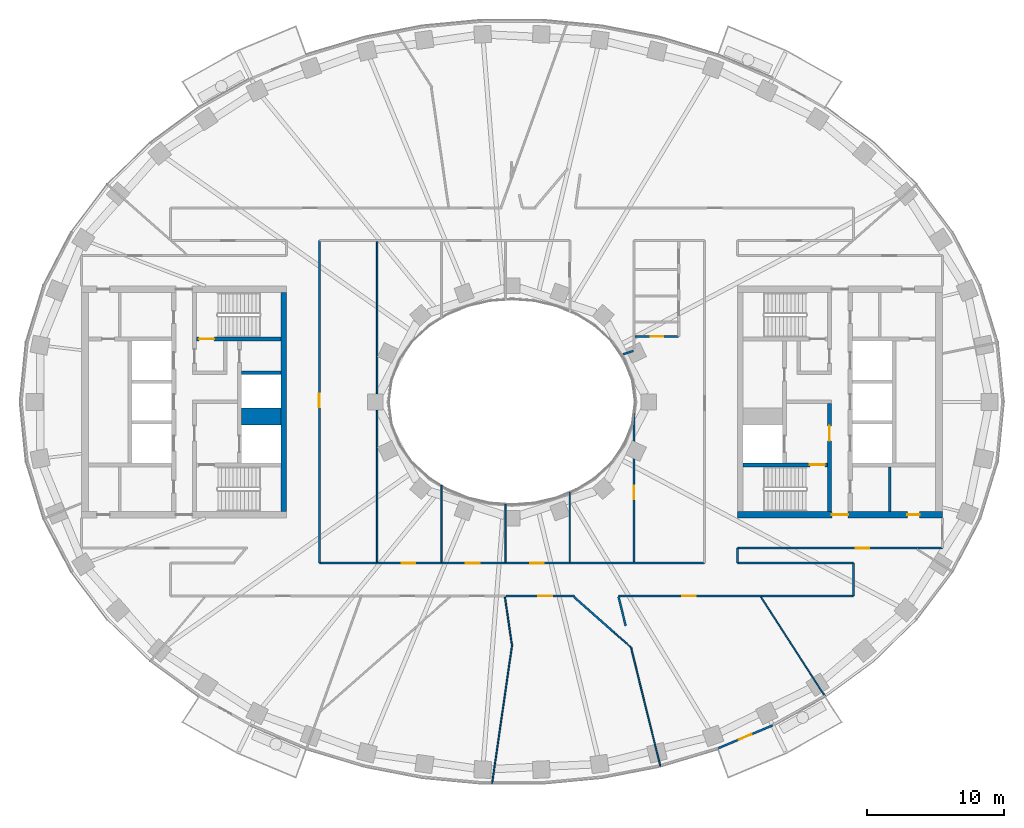
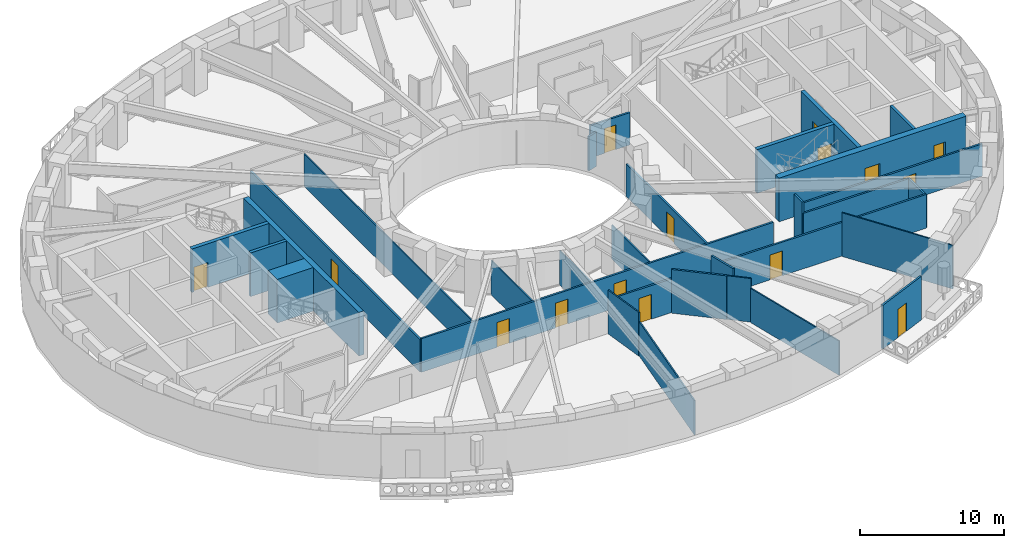
# One storey, part 4 of 15: 31 walls, 15 doors, 15 openings.
"""IFC4 building model written with IfcOpenShell, lengths in metres."""

from ifc_helpers import new_model, si_unit, direction, frame, frame_2d, origin, place, context, subcontext, project, spatial, rectangle, extrude, material, layer, layer_set, type_object, element, fill, save


model = new_model("IFC4")

# Units and contexts
model_context = context("Model", 3, precision=1e-05, world=origin(), true_north=direction((0.0, 1.0)))
body_context = subcontext(model_context, "Body", "Model", "MODEL_VIEW")
ifc_project = project(units=[si_unit("LENGTHUNIT", "METRE"), si_unit("AREAUNIT", "SQUARE_METRE"), si_unit("VOLUMEUNIT", "CUBIC_METRE"), si_unit("PLANEANGLEUNIT", "RADIAN"), si_unit("MASSUNIT", "GRAM", prefix="KILO")], contexts=[model_context])

# Site, building, storey
site_placement = place(None, origin())
site = spatial("IfcSite", under=ifc_project, at=site_placement, CompositionType="ELEMENT")
building_placement = place(site_placement, origin())
building = spatial("IfcBuilding", under=site, at=building_placement, Name="Noorbagh Ring Tower", CompositionType="ELEMENT")
storey_placement = place(building_placement, frame((0.0, 0.0, 128.0)))
storey = spatial("IfcBuildingStorey", under=building, at=storey_placement, Name="L29", CompositionType="ELEMENT", Elevation=128.0)

# Wall, opening, door
ifc_material_1 = material(Name="Gypsum board on steel studs", Category="steel")
ifc_layer_1 = layer(ifc_material_1, 0.14990234375)
ifc_layer_set_1 = layer_set([ifc_layer_1], Name="Gypsum board on steel studs")
wall_type_1 = type_object("IfcWallType", Name="COMPARTMENT PARTITION 150 EI 60", PredefinedType="PARTITIONING", material=ifc_layer_set_1)
wall_1_placement = place(storey_placement, frame((9.00390625, 4.800048828125, 0.0), z_axis=(0.0, 0.0, 1.0), x_axis=(1.0, 0.0, 0.0)))
wall_1 = element("IfcWall", 1, at=wall_1_placement, inside=storey, type_object=wall_type_1, Name="L29/wall/P56", PredefinedType="PARTITIONING", context=body_context, shape_type="SweptSolid", body=[
    extrude(rectangle(XDim=3.196044921875, YDim=0.14990234375, at=frame_2d((1.59814453125, 0.0))), origin(), (0.0, 0.0, 1.0), 2.75),
])
opening_1_placement = place(wall_1_placement, frame((1.14599609375, 0.0, 0.0)))
opening_1 = element("IfcOpeningElement", 2, at=opening_1_placement, cuts=wall_1, Name="Opening D4", PredefinedType="OPENING", context=body_context, shape_type="SweptSolid", body=[
    extrude(rectangle(XDim=0.89990234375, YDim=2.10009765625, at=frame_2d((0.449951171875, 1.050048828125))), frame((0.0, 0.0849609375, 0.0), z_axis=(0.0, -1.0, 0.0), x_axis=(1.0, 0.0, 0.0)), (0.0, 0.0, 1.0), 0.169921875),
])
ifc_material_2 = material(Name="Timber, painted", Category="wood")
door_type_1 = type_object("IfcDoorType", Name="DOOR 900 X 2100 FD60", OperationType="SINGLE_SWING_LEFT", PredefinedType="DOOR", material=ifc_material_2)
door_1_placement = place(opening_1_placement, origin())
door_1 = element("IfcDoor", 3, at=door_1_placement, inside=storey, type_object=door_type_1, Name="L29-D05", OperationType="SINGLE_SWING_LEFT", OverallHeight=2.10009765625, OverallWidth=0.89990234375, PredefinedType="DOOR", context=body_context, shape_type="SweptSolid", body=[
    extrude(rectangle(XDim=0.89990234375, YDim=2.10009765625, at=frame_2d((0.449951171875, 1.050048828125))), frame((0.0, 0.02490234375, 0.0), z_axis=(0.0, -1.0, 0.0), x_axis=(1.0, 0.0, 0.0)), (0.0, 0.0, 1.0), 0.050048828125),
])
fill(opening_1, door_1)

# Walls
ifc_material_3 = material(Name="Gypsum board on steel studs", Category="steel")
ifc_layer_2 = layer(ifc_material_3, 0.199951171875)
ifc_layer_set_2 = layer_set([ifc_layer_2], Name="Gypsum board on steel studs")
wall_type_2 = type_object("IfcWallType", Name="CORE-PARTITION-200", PredefinedType="PARTITIONING", material=ifc_layer_set_2)
wall_2_placement = place(storey_placement, frame((27.64990234375, -8.0, 0.0), z_axis=(0.0, 0.0, 1.0), x_axis=(0.0, 1.0, 0.0)))
element("IfcWall", 4, at=wall_2_placement, inside=storey, type_object=wall_type_2, Name="Core partition E", PredefinedType="PARTITIONING", context=body_context, shape_type="SweptSolid", body=[
    extrude(rectangle(XDim=3.25, YDim=0.199951171875, at=frame_2d((1.625, 0.0))), origin(), (0.0, 0.0, 1.0), 3.699951171875),
])
ifc_material_4 = material(Name="Concrete C70/85", Category="concrete")
ifc_layer_3 = layer(ifc_material_4, 1.25)
ifc_layer_set_3 = layer_set([ifc_layer_3], Name="Concrete C70/85")
wall_type_3 = type_object("IfcWallType", Name="CORE-WALL-1250-C70-85-EI120", PredefinedType="SHEAR", material=ifc_layer_set_3)
wall_3_placement = place(storey_placement, frame((-16.89990234375, -1.074951171875, 0.0), z_axis=(0.0, 0.0, 1.0), x_axis=(-1.0, 0.0, 0.0)))
element("IfcWall", 5, at=wall_3_placement, inside=storey, type_object=wall_type_3, Name="Core wall W", PredefinedType="SHEAR", context=body_context, shape_type="SweptSolid", body=[
    extrude(rectangle(XDim=2.900146484375, YDim=1.25, at=frame_2d((1.4501953125, 0.0))), origin(), (0.0, 0.0, 1.0), 3.699951171875),
])
ifc_material_5 = material(Name="Concrete C70/85", Category="concrete")
ifc_layer_4 = layer(ifc_material_5, 0.25)
ifc_layer_set_4 = layer_set([ifc_layer_4], Name="Concrete C70/85")
wall_type_4 = type_object("IfcWallType", Name="CORE-WALL-250-C70-85-EI120", PredefinedType="SHEAR", material=ifc_layer_set_4)
wall_4_placement = place(storey_placement, frame((-16.89990234375, 2.125, 0.0), z_axis=(0.0, 0.0, 1.0), x_axis=(-1.0, 0.0, 0.0)))
element("IfcWall", 6, at=wall_4_placement, inside=storey, type_object=wall_type_4, Name="Core wall W", PredefinedType="SHEAR", context=body_context, shape_type="SweptSolid", body=[
    extrude(rectangle(XDim=2.900146484375, YDim=0.25, at=frame_2d((1.4501953125, 0.0))), origin(), (0.0, 0.0, 1.0), 3.699951171875),
])

# Wall, opening, door
ifc_material_6 = material(Name="Concrete C70/85", Category="concrete")
ifc_layer_5 = layer(ifc_material_6, 0.300048828125)
ifc_layer_set_5 = layer_set([ifc_layer_5], Name="Concrete C70/85")
wall_type_5 = type_object("IfcWallType", Name="CORE-WALL-300-C70-85-EI240", PredefinedType="SHEAR", material=ifc_layer_set_5)
wall_5_placement = place(storey_placement, frame((-16.89990234375, 4.60009765625, 0.0), z_axis=(0.0, 0.0, 1.0), x_axis=(-1.0, 0.0, 0.0)))
wall_5 = element("IfcWall", 7, at=wall_5_placement, inside=storey, type_object=wall_type_5, Name="Core wall W", PredefinedType="SHEAR", context=body_context, shape_type="SweptSolid", body=[
    extrude(rectangle(XDim=6.18017578125, YDim=0.300048828125, at=frame_2d((3.090087890625, 0.0))), origin(), (0.0, 0.0, 1.0), 3.699951171875),
])
opening_2_placement = place(wall_5_placement, frame((4.89990234375, 0.0, 0.0)))
opening_2 = element("IfcOpeningElement", 8, at=opening_2_placement, cuts=wall_5, Name="Opening L29-CW05", PredefinedType="OPENING", context=body_context, shape_type="SweptSolid", body=[
    extrude(rectangle(XDim=1.10009765625, YDim=2.10009765625, at=frame_2d((0.550048828125, 1.050048828125))), frame((0.0, 0.16015625, 0.0), z_axis=(0.0, -1.0, 0.0), x_axis=(1.0, 0.0, 0.0)), (0.0, 0.0, 1.0), 0.320068359375),
])
ifc_material_7 = material(Name="Steel door leaf", Category="steel")
door_type_2 = type_object("IfcDoorType", Name="CORE-DOOR-DSTAIR", OperationType="SINGLE_SWING_LEFT", PredefinedType="DOOR", material=ifc_material_7)
door_2_placement = place(opening_2_placement, origin())
door_2 = element("IfcDoor", 9, at=door_2_placement, inside=storey, type_object=door_type_2, Name="Stair door ST1 L29-CW05", OperationType="SINGLE_SWING_RIGHT", OverallHeight=2.10009765625, OverallWidth=1.10009765625, PredefinedType="DOOR", context=body_context, shape_type="SweptSolid", body=[
    extrude(rectangle(XDim=1.10009765625, YDim=2.10009765625, at=frame_2d((0.550048828125, 1.050048828125))), frame((0.0, 0.02490234375, 0.0), z_axis=(0.0, -1.0, 0.0), x_axis=(1.0, 0.0, 0.0)), (0.0, 0.0, 1.0), 0.050048828125),
])
fill(opening_2, door_2)

wall_6_placement = place(storey_placement, frame((23.22998046875, -8.0, 0.0), z_axis=(0.0, 0.0, 1.0), x_axis=(0.0, 1.0, 0.0)))
wall_6 = element("IfcWall", 10, at=wall_6_placement, inside=storey, type_object=wall_type_5, Name="Core wall E", PredefinedType="SHEAR", context=body_context, shape_type="SweptSolid", body=[
    extrude(rectangle(XDim=7.875, YDim=0.300048828125, at=frame_2d((3.9375, 0.0))), origin(), (0.0, 0.0, 1.0), 3.699951171875),
])
opening_3_placement = place(wall_6_placement, frame((5.14990234375, 0.0, 0.0)))
opening_3 = element("IfcOpeningElement", 11, at=opening_3_placement, cuts=wall_6, Name="Opening L29-CE07", PredefinedType="OPENING", context=body_context, shape_type="SweptSolid", body=[
    extrude(rectangle(XDim=1.10009765625, YDim=2.10009765625, at=frame_2d((0.550048828125, 1.050048828125))), frame((0.0, 0.16015625, 0.0), z_axis=(0.0, -1.0, 0.0), x_axis=(1.0, 0.0, 0.0)), (0.0, 0.0, 1.0), 0.320068359375),
])
ifc_material_8 = material(Name="Steel door leaf", Category="steel")
door_type_3 = type_object("IfcDoorType", Name="CORE-DOOR-DFF", OperationType="SINGLE_SWING_LEFT", PredefinedType="DOOR", material=ifc_material_8)
door_3_placement = place(opening_3_placement, origin())
door_3 = element("IfcDoor", 12, at=door_3_placement, inside=storey, type_object=door_type_3, Name="Firefighting lobby door L29-CE07", OperationType="SINGLE_SWING_RIGHT", OverallHeight=2.10009765625, OverallWidth=1.10009765625, PredefinedType="DOOR", context=body_context, shape_type="SweptSolid", body=[
    extrude(rectangle(XDim=1.10009765625, YDim=2.10009765625, at=frame_2d((0.550048828125, 1.050048828125))), frame((0.0, 0.02490234375, 0.0), z_axis=(0.0, -1.0, 0.0), x_axis=(1.0, 0.0, 0.0)), (0.0, 0.0, 1.0), 0.050048828125),
])
fill(opening_3, door_3)

wall_7_placement = place(storey_placement, frame((16.89990234375, -4.60009765625, 0.0), z_axis=(0.0, 0.0, 1.0), x_axis=(1.0, 0.0, 0.0)))
wall_7 = element("IfcWall", 13, at=wall_7_placement, inside=storey, type_object=wall_type_5, Name="Core wall E", PredefinedType="SHEAR", context=body_context, shape_type="SweptSolid", body=[
    extrude(rectangle(XDim=6.18017578125, YDim=0.300048828125, at=frame_2d((3.090087890625, 0.0))), origin(), (0.0, 0.0, 1.0), 3.699951171875),
])
opening_4_placement = place(wall_7_placement, frame((4.89990234375, 0.0, 0.0)))
opening_4 = element("IfcOpeningElement", 14, at=opening_4_placement, cuts=wall_7, Name="Opening L29-CE06", PredefinedType="OPENING", context=body_context, shape_type="SweptSolid", body=[
    extrude(rectangle(XDim=1.10009765625, YDim=2.10009765625, at=frame_2d((0.550048828125, 1.050048828125))), frame((0.0, 0.16015625, 0.0), z_axis=(0.0, -1.0, 0.0), x_axis=(1.0, 0.0, 0.0)), (0.0, 0.0, 1.0), 0.320068359375),
])
door_4_placement = place(opening_4_placement, origin())
door_4 = element("IfcDoor", 15, at=door_4_placement, inside=storey, type_object=door_type_2, Name="Stair door ST4 L29-CE06", OperationType="SINGLE_SWING_RIGHT", OverallHeight=2.10009765625, OverallWidth=1.10009765625, PredefinedType="DOOR", context=body_context, shape_type="SweptSolid", body=[
    extrude(rectangle(XDim=1.10009765625, YDim=2.10009765625, at=frame_2d((0.550048828125, 1.050048828125))), frame((0.0, 0.02490234375, 0.0), z_axis=(0.0, -1.0, 0.0), x_axis=(1.0, 0.0, 0.0)), (0.0, 0.0, 1.0), 0.050048828125),
])
fill(opening_4, door_4)

# Wall
ifc_material_9 = material(Name="Concrete C70/85", Category="concrete")
ifc_layer_6 = layer(ifc_material_9, 0.39990234375)
ifc_layer_set_6 = layer_set([ifc_layer_6], Name="Concrete C70/85")
wall_type_6 = type_object("IfcWallType", Name="CORE-WALL-400-C70-85-EI240", PredefinedType="SHEAR", material=ifc_layer_set_6)
wall_8_placement = place(storey_placement, frame((-16.699951171875, -8.0, 0.0), z_axis=(0.0, 0.0, 1.0), x_axis=(0.0, 1.0, 0.0)))
element("IfcWall", 16, at=wall_8_placement, inside=storey, type_object=wall_type_6, Name="Core wall W", PredefinedType="SHEAR", context=body_context, shape_type="SweptSolid", body=[
    extrude(rectangle(XDim=16.0, YDim=0.39990234375, at=frame_2d((8.0, 0.0))), origin(), (0.0, 0.0, 1.0), 3.699951171875),
])

# Wall, openings, doors
ifc_material_10 = material(Name="Concrete C70/85", Category="concrete")
ifc_layer_7 = layer(ifc_material_10, 0.5)
ifc_layer_set_7 = layer_set([ifc_layer_7], Name="Concrete C70/85")
wall_type_7 = type_object("IfcWallType", Name="CORE-WALL-500-C70-85-EI240", PredefinedType="SHEAR", material=ifc_layer_set_7)
wall_9_placement = place(storey_placement, frame((16.5, -8.25, 0.0), z_axis=(0.0, 0.0, 1.0), x_axis=(1.0, 0.0, 0.0)))
wall_9 = element("IfcWall", 17, at=wall_9_placement, inside=storey, type_object=wall_type_7, Name="Core wall E", PredefinedType="SHEAR", context=body_context, shape_type="SweptSolid", body=[
    extrude(rectangle(XDim=15.0, YDim=0.5, at=frame_2d((7.5, 0.0))), origin(), (0.0, 0.0, 1.0), 3.699951171875),
])
opening_5_placement = place(wall_9_placement, frame((6.89990234375, 0.0, 0.0)))
opening_5 = element("IfcOpeningElement", 18, at=opening_5_placement, cuts=wall_9, Name="Opening L29-CE10", PredefinedType="OPENING", context=body_context, shape_type="SweptSolid", body=[
    extrude(rectangle(XDim=1.199951171875, YDim=2.10009765625, at=frame_2d((0.60009765625, 1.050048828125))), frame((0.0, 0.260009765625, 0.0), z_axis=(0.0, -1.0, 0.0), x_axis=(1.0, 0.0, 0.0)), (0.0, 0.0, 1.0), 0.52001953125),
])
opening_6_placement = place(wall_9_placement, frame((12.425048828125, 0.0, 0.0)))
opening_6 = element("IfcOpeningElement", 19, at=opening_6_placement, cuts=wall_9, Name="Opening L29-CE15", PredefinedType="OPENING", context=body_context, shape_type="SweptSolid", body=[
    extrude(rectangle(XDim=0.89990234375, YDim=2.10009765625, at=frame_2d((0.449951171875, 1.050048828125))), frame((0.0, 0.260009765625, 0.0), z_axis=(0.0, -1.0, 0.0), x_axis=(1.0, 0.0, 0.0)), (0.0, 0.0, 1.0), 0.52001953125),
])
ifc_material_11 = material(Name="Steel door leaf", Category="steel")
door_type_4 = type_object("IfcDoorType", Name="CORE-DOOR-DROOM", OperationType="SINGLE_SWING_LEFT", PredefinedType="DOOR", material=ifc_material_11)
door_5_placement = place(opening_6_placement, origin())
door_5 = element("IfcDoor", 20, at=door_5_placement, inside=storey, type_object=door_type_4, Name="Core room door L29-CE15", OperationType="SINGLE_SWING_RIGHT", OverallHeight=2.10009765625, OverallWidth=0.89990234375, PredefinedType="DOOR", context=body_context, shape_type="SweptSolid", body=[
    extrude(rectangle(XDim=0.89990234375, YDim=2.10009765625, at=frame_2d((0.449951171875, 1.050048828125))), frame((0.0, 0.02490234375, 0.0), z_axis=(0.0, -1.0, 0.0), x_axis=(1.0, 0.0, 0.0)), (0.0, 0.0, 1.0), 0.050048828125),
])
fill(opening_6, door_5)
ifc_material_12 = material(Name="Steel door leaf", Category="steel")
door_type_5 = type_object("IfcDoorType", Name="CORE-DOOR-PORT", OperationType="DOUBLE_DOOR_DOUBLE_SWING", PredefinedType="DOOR", material=ifc_material_12)
door_6_placement = place(opening_5_placement, origin())
door_6 = element("IfcDoor", 21, at=door_6_placement, inside=storey, type_object=door_type_5, Name="Core entrance door L29-CE10", OperationType="DOUBLE_DOOR_DOUBLE_SWING", OverallHeight=2.10009765625, OverallWidth=1.199951171875, PredefinedType="DOOR", context=body_context, shape_type="SweptSolid", body=[
    extrude(rectangle(XDim=1.199951171875, YDim=2.10009765625, at=frame_2d((0.60009765625, 1.050048828125))), frame((0.0, 0.02490234375, 0.0), z_axis=(0.0, -1.0, 0.0), x_axis=(1.0, 0.0, 0.0)), (0.0, 0.0, 1.0), 0.050048828125),
])
fill(opening_5, door_6)

# Wall, opening, door
ifc_material_13 = material(Name="Gypsum board on steel studs", Category="steel")
ifc_layer_8 = layer(ifc_material_13, 0.14990234375)
ifc_layer_set_8 = layer_set([ifc_layer_8], Name="Gypsum board on steel studs")
wall_type_8 = type_object("IfcWallType", Name="CORRIDOR PARTITION 150 EI 30", PredefinedType="PARTITIONING", material=ifc_layer_set_8)
wall_10_placement = place(storey_placement, frame((-14.10009765625, -11.800048828125, 0.0), z_axis=(0.0, 0.0, 1.0), x_axis=(0.0, 1.0, 0.0)))
wall_10 = element("IfcWall", 22, at=wall_10_placement, inside=storey, type_object=wall_type_8, Name="L29/wall/P18", PredefinedType="PARTITIONING", context=body_context, shape_type="SweptSolid", body=[
    extrude(rectangle(XDim=23.60009765625, YDim=0.14990234375, at=frame_2d((11.800048828125, 0.0))), origin(), (0.0, 0.0, 1.0), 2.75),
])
opening_7_placement = place(wall_10_placement, frame((11.39990234375, 0.0, 0.0)))
opening_7 = element("IfcOpeningElement", 23, at=opening_7_placement, cuts=wall_10, Name="Opening D1", PredefinedType="OPENING", context=body_context, shape_type="SweptSolid", body=[
    extrude(rectangle(XDim=1.0, YDim=2.10009765625, at=frame_2d((0.5, 1.050048828125))), frame((0.0, 0.0849609375, 0.0), z_axis=(0.0, -1.0, 0.0), x_axis=(1.0, 0.0, 0.0)), (0.0, 0.0, 1.0), 0.169921875),
])
ifc_material_14 = material(Name="Timber, painted", Category="wood")
door_type_6 = type_object("IfcDoorType", Name="DOOR 1000 X 2100 FD30", OperationType="SINGLE_SWING_LEFT", PredefinedType="DOOR", material=ifc_material_14)
door_7_placement = place(opening_7_placement, origin())
door_7 = element("IfcDoor", 24, at=door_7_placement, inside=storey, type_object=door_type_6, Name="L29-D21", OperationType="SINGLE_SWING_LEFT", OverallHeight=2.10009765625, OverallWidth=1.0, PredefinedType="DOOR", context=body_context, shape_type="SweptSolid", body=[
    extrude(rectangle(XDim=1.0, YDim=2.10009765625, at=frame_2d((0.5, 1.050048828125))), frame((0.0, 0.02490234375, 0.0), z_axis=(0.0, -1.0, 0.0), x_axis=(1.0, 0.0, 0.0)), (0.0, 0.0, 1.0), 0.050048828125),
])
fill(opening_7, door_7)

# Wall, openings, doors
wall_11_placement = place(storey_placement, frame((-14.10009765625, -11.800048828125, 0.0), z_axis=(0.0, 0.0, 1.0), x_axis=(1.0, 0.0, 0.0)))
wall_11 = element("IfcWall", 25, at=wall_11_placement, inside=storey, type_object=wall_type_8, Name="L29/wall/P19", PredefinedType="PARTITIONING", context=body_context, shape_type="SweptSolid", body=[
    extrude(rectangle(XDim=28.2001953125, YDim=0.14990234375, at=frame_2d((14.10009765625, 0.0))), origin(), (0.0, 0.0, 1.0), 2.85009765625),
])
opening_8_placement = place(wall_11_placement, frame((6.030029296875, 0.0, 0.0)))
opening_8 = element("IfcOpeningElement", 26, at=opening_8_placement, cuts=wall_11, Name="Opening D1", PredefinedType="OPENING", context=body_context, shape_type="SweptSolid", body=[
    extrude(rectangle(XDim=1.0, YDim=2.10009765625, at=frame_2d((0.5, 1.050048828125))), frame((0.0, 0.0849609375, 0.0), z_axis=(0.0, -1.0, 0.0), x_axis=(1.0, 0.0, 0.0)), (0.0, 0.0, 1.0), 0.169921875),
])
opening_9_placement = place(wall_11_placement, frame((10.72998046875, 0.0, 0.0)))
opening_9 = element("IfcOpeningElement", 27, at=opening_9_placement, cuts=wall_11, Name="Opening D1", PredefinedType="OPENING", context=body_context, shape_type="SweptSolid", body=[
    extrude(rectangle(XDim=1.0, YDim=2.10009765625, at=frame_2d((0.5, 1.050048828125))), frame((0.0, 0.0849609375, 0.0), z_axis=(0.0, -1.0, 0.0), x_axis=(1.0, 0.0, 0.0)), (0.0, 0.0, 1.0), 0.169921875),
])
opening_10_placement = place(wall_11_placement, frame((15.429931640625, 0.0, 0.0)))
opening_10 = element("IfcOpeningElement", 28, at=opening_10_placement, cuts=wall_11, Name="Opening D1", PredefinedType="OPENING", context=body_context, shape_type="SweptSolid", body=[
    extrude(rectangle(XDim=1.0, YDim=2.10009765625, at=frame_2d((0.5, 1.050048828125))), frame((0.0, 0.0849609375, 0.0), z_axis=(0.0, -1.0, 0.0), x_axis=(1.0, 0.0, 0.0)), (0.0, 0.0, 1.0), 0.169921875),
])
door_8_placement = place(opening_8_placement, origin())
door_8 = element("IfcDoor", 29, at=door_8_placement, inside=storey, type_object=door_type_6, Name="L29-D22", OperationType="SINGLE_SWING_RIGHT", OverallHeight=2.10009765625, OverallWidth=1.0, PredefinedType="DOOR", context=body_context, shape_type="SweptSolid", body=[
    extrude(rectangle(XDim=1.0, YDim=2.10009765625, at=frame_2d((0.5, 1.050048828125))), frame((0.0, 0.02490234375, 0.0), z_axis=(0.0, -1.0, 0.0), x_axis=(1.0, 0.0, 0.0)), (0.0, 0.0, 1.0), 0.050048828125),
])
fill(opening_8, door_8)
door_9_placement = place(opening_9_placement, origin())
door_9 = element("IfcDoor", 30, at=door_9_placement, inside=storey, type_object=door_type_6, Name="L29-D23", OperationType="SINGLE_SWING_LEFT", OverallHeight=2.10009765625, OverallWidth=1.0, PredefinedType="DOOR", context=body_context, shape_type="SweptSolid", body=[
    extrude(rectangle(XDim=1.0, YDim=2.10009765625, at=frame_2d((0.5, 1.050048828125))), frame((0.0, 0.02490234375, 0.0), z_axis=(0.0, -1.0, 0.0), x_axis=(1.0, 0.0, 0.0)), (0.0, 0.0, 1.0), 0.050048828125),
])
fill(opening_9, door_9)
door_10_placement = place(opening_10_placement, origin())
door_10 = element("IfcDoor", 31, at=door_10_placement, inside=storey, type_object=door_type_6, Name="L29-D25", OperationType="SINGLE_SWING_LEFT", OverallHeight=2.10009765625, OverallWidth=1.0, PredefinedType="DOOR", context=body_context, shape_type="SweptSolid", body=[
    extrude(rectangle(XDim=1.0, YDim=2.10009765625, at=frame_2d((0.5, 1.050048828125))), frame((0.0, 0.02490234375, 0.0), z_axis=(0.0, -1.0, 0.0), x_axis=(1.0, 0.0, 0.0)), (0.0, 0.0, 1.0), 0.050048828125),
])
fill(opening_10, door_10)

# Wall, opening, door
wall_12_placement = place(storey_placement, frame((-0.451904296875, -14.199951171875, 0.0), z_axis=(0.0, 0.0, 1.0), x_axis=(1.0, 0.0, 0.0)))
wall_12 = element("IfcWall", 32, at=wall_12_placement, inside=storey, type_object=wall_type_8, Name="L29/wall/P38", PredefinedType="PARTITIONING", context=body_context, shape_type="SweptSolid", body=[
    extrude(rectangle(XDim=5.02099609375, YDim=0.14990234375, at=frame_2d((2.510498046875, 0.0))), origin(), (0.0, 0.0, 1.0), 2.85009765625),
])
opening_11_placement = place(wall_12_placement, frame((2.37890625, 0.0, 0.0)))
opening_11 = element("IfcOpeningElement", 33, at=opening_11_placement, cuts=wall_12, Name="Opening D1", PredefinedType="OPENING", context=body_context, shape_type="SweptSolid", body=[
    extrude(rectangle(XDim=1.0, YDim=2.10009765625, at=frame_2d((0.5, 1.050048828125))), frame((0.0, 0.0849609375, 0.0), z_axis=(0.0, -1.0, 0.0), x_axis=(1.0, 0.0, 0.0)), (0.0, 0.0, 1.0), 0.169921875),
])
door_11_placement = place(opening_11_placement, origin())
door_11 = element("IfcDoor", 34, at=door_11_placement, inside=storey, type_object=door_type_6, Name="L29-D14", OperationType="SINGLE_SWING_RIGHT", OverallHeight=2.10009765625, OverallWidth=1.0, PredefinedType="DOOR", context=body_context, shape_type="SweptSolid", body=[
    extrude(rectangle(XDim=1.0, YDim=2.10009765625, at=frame_2d((0.5, 1.050048828125))), frame((0.0, 0.02490234375, 0.0), z_axis=(0.0, -1.0, 0.0), x_axis=(1.0, 0.0, 0.0)), (0.0, 0.0, 1.0), 0.050048828125),
])
fill(opening_11, door_11)

# Walls
wall_13_placement = place(storey_placement, frame((4.5439453125, -14.278076171875, 0.0), z_axis=(0.0, 0.0, 1.0), x_axis=(0.74902508398, -0.662541639121, 0.0)))
element("IfcWall", 35, at=wall_13_placement, inside=storey, type_object=wall_type_8, Name="L29/wall/P43", PredefinedType="PARTITIONING", context=body_context, shape_type="SweptSolid", body=[
    extrude(rectangle(XDim=3.921142578125, YDim=0.14990234375, at=frame_2d((1.96044921875, 0.0))), origin(), (0.0, 0.0, 1.0), 3.699951171875),
])
wall_14_placement = place(storey_placement, frame((7.791015625, -14.248046875, 0.0), z_axis=(0.0, 0.0, 1.0), x_axis=(0.240023599191, -0.97076705333, 0.0)))
element("IfcWall", 36, at=wall_14_placement, inside=storey, type_object=wall_type_8, Name="L29/wall/P47", PredefinedType="PARTITIONING", context=body_context, shape_type="SweptSolid", body=[
    extrude(rectangle(XDim=2.196044921875, YDim=0.14990234375, at=frame_2d((1.09814453125, 0.0))), origin(), (0.0, 0.0, 1.0), 3.699951171875),
])

# Wall, opening, door
wall_15_placement = place(storey_placement, frame((7.7958984375, -14.199951171875, 0.0), z_axis=(0.0, 0.0, 1.0), x_axis=(1.0, 0.0, 0.0)))
wall_15 = element("IfcWall", 37, at=wall_15_placement, inside=storey, type_object=wall_type_8, Name="L29/wall/P48", PredefinedType="PARTITIONING", context=body_context, shape_type="SweptSolid", body=[
    extrude(rectangle(XDim=17.2041015625, YDim=0.14990234375, at=frame_2d((8.60205078125, 0.0))), origin(), (0.0, 0.0, 1.0), 2.85009765625),
])
opening_12_placement = place(wall_15_placement, frame((4.64990234375, 0.0, 0.0)))
opening_12 = element("IfcOpeningElement", 38, at=opening_12_placement, cuts=wall_15, Name="Opening D1", PredefinedType="OPENING", context=body_context, shape_type="SweptSolid", body=[
    extrude(rectangle(XDim=1.0, YDim=2.10009765625, at=frame_2d((0.5, 1.050048828125))), frame((0.0, 0.0849609375, 0.0), z_axis=(0.0, -1.0, 0.0), x_axis=(1.0, 0.0, 0.0)), (0.0, 0.0, 1.0), 0.169921875),
])
door_12_placement = place(opening_12_placement, origin())
door_12 = element("IfcDoor", 39, at=door_12_placement, inside=storey, type_object=door_type_6, Name="L29-D16", OperationType="SINGLE_SWING_RIGHT", OverallHeight=2.10009765625, OverallWidth=1.0, PredefinedType="DOOR", context=body_context, shape_type="SweptSolid", body=[
    extrude(rectangle(XDim=1.0, YDim=2.10009765625, at=frame_2d((0.5, 1.050048828125))), frame((0.0, 0.02490234375, 0.0), z_axis=(0.0, -1.0, 0.0), x_axis=(1.0, 0.0, 0.0)), (0.0, 0.0, 1.0), 0.050048828125),
])
fill(opening_12, door_12)

wall_16_placement = place(storey_placement, frame((8.929931640625, -11.72509765625, 0.0), z_axis=(0.0, 0.0, 1.0), x_axis=(0.0, 1.0, 0.0)))
wall_16 = element("IfcWall", 40, at=wall_16_placement, inside=storey, type_object=wall_type_8, Name="L29/wall/P50", PredefinedType="PARTITIONING", context=body_context, shape_type="SweptSolid", body=[
    extrude(rectangle(XDim=11.20703125, YDim=0.14990234375, at=frame_2d((5.603515625, 0.0))), origin(), (0.0, 0.0, 1.0), 2.75),
])
opening_13_placement = place(wall_16_placement, frame((4.596923828125, 0.0, 0.0)))
opening_13 = element("IfcOpeningElement", 41, at=opening_13_placement, cuts=wall_16, Name="Opening D1", PredefinedType="OPENING", context=body_context, shape_type="SweptSolid", body=[
    extrude(rectangle(XDim=1.0, YDim=2.10009765625, at=frame_2d((0.5, 1.050048828125))), frame((0.0, 0.0849609375, 0.0), z_axis=(0.0, -1.0, 0.0), x_axis=(1.0, 0.0, 0.0)), (0.0, 0.0, 1.0), 0.169921875),
])
door_13_placement = place(opening_13_placement, origin())
door_13 = element("IfcDoor", 42, at=door_13_placement, inside=storey, type_object=door_type_6, Name="L29-D27", OperationType="SINGLE_SWING_LEFT", OverallHeight=2.10009765625, OverallWidth=1.0, PredefinedType="DOOR", context=body_context, shape_type="SweptSolid", body=[
    extrude(rectangle(XDim=1.0, YDim=2.10009765625, at=frame_2d((0.5, 1.050048828125))), frame((0.0, 0.02490234375, 0.0), z_axis=(0.0, -1.0, 0.0), x_axis=(1.0, 0.0, 0.0)), (0.0, 0.0, 1.0), 0.050048828125),
])
fill(opening_13, door_13)

# Walls
wall_17_placement = place(storey_placement, frame((16.5, -11.800048828125, 0.0), z_axis=(0.0, 0.0, 1.0), x_axis=(0.0, 1.0, 0.0)))
element("IfcWall", 43, at=wall_17_placement, inside=storey, type_object=wall_type_8, Name="L29/wall/P60", PredefinedType="PARTITIONING", context=body_context, shape_type="SweptSolid", body=[
    extrude(rectangle(XDim=1.10009765625, YDim=0.14990234375, at=frame_2d((0.550048828125, 0.0))), origin(), (0.0, 0.0, 1.0), 3.699951171875),
])
wall_18_placement = place(storey_placement, frame((16.5, -11.800048828125, 0.0), z_axis=(0.0, 0.0, 1.0), x_axis=(1.0, 0.0, 0.0)))
element("IfcWall", 44, at=wall_18_placement, inside=storey, type_object=wall_type_8, Name="L29/wall/P61", PredefinedType="PARTITIONING", context=body_context, shape_type="SweptSolid", body=[
    extrude(rectangle(XDim=8.5, YDim=0.14990234375, at=frame_2d((4.25, 0.0))), origin(), (0.0, 0.0, 1.0), 2.75),
])

# Wall, opening, door
wall_19_placement = place(storey_placement, frame((16.5, -10.699951171875, 0.0), z_axis=(0.0, 0.0, 1.0), x_axis=(1.0, 0.0, 0.0)))
wall_19 = element("IfcWall", 45, at=wall_19_placement, inside=storey, type_object=wall_type_8, Name="L29/wall/P62", PredefinedType="PARTITIONING", context=body_context, shape_type="SweptSolid", body=[
    extrude(rectangle(XDim=15.0, YDim=0.14990234375, at=frame_2d((7.5, 0.0))), origin(), (0.0, 0.0, 1.0), 2.75),
])
opening_14_placement = place(wall_19_placement, frame((8.64990234375, 0.0, 0.0)))
opening_14 = element("IfcOpeningElement", 46, at=opening_14_placement, cuts=wall_19, Name="Opening D1", PredefinedType="OPENING", context=body_context, shape_type="SweptSolid", body=[
    extrude(rectangle(XDim=1.0, YDim=2.10009765625, at=frame_2d((0.5, 1.050048828125))), frame((0.0, 0.0849609375, 0.0), z_axis=(0.0, -1.0, 0.0), x_axis=(1.0, 0.0, 0.0)), (0.0, 0.0, 1.0), 0.169921875),
])
door_14_placement = place(opening_14_placement, origin())
door_14 = element("IfcDoor", 47, at=door_14_placement, inside=storey, type_object=door_type_6, Name="L29-D17", OperationType="SINGLE_SWING_RIGHT", OverallHeight=2.10009765625, OverallWidth=1.0, PredefinedType="DOOR", context=body_context, shape_type="SweptSolid", body=[
    extrude(rectangle(XDim=1.0, YDim=2.10009765625, at=frame_2d((0.5, 1.050048828125))), frame((0.0, 0.02490234375, 0.0), z_axis=(0.0, -1.0, 0.0), x_axis=(1.0, 0.0, 0.0)), (0.0, 0.0, 1.0), 0.050048828125),
])
fill(opening_14, door_14)

# Walls
wall_20_placement = place(storey_placement, frame((25.0, -14.199951171875, 0.0), z_axis=(0.0, 0.0, 1.0), x_axis=(0.0, 1.0, 0.0)))
element("IfcWall", 48, at=wall_20_placement, inside=storey, type_object=wall_type_8, Name="L29/wall/P68", PredefinedType="PARTITIONING", context=body_context, shape_type="SweptSolid", body=[
    extrude(rectangle(XDim=2.39990234375, YDim=0.14990234375, at=frame_2d((1.199951171875, 0.0))), origin(), (0.0, 0.0, 1.0), 2.75),
])
wall_21_placement = place(storey_placement, frame((8.884033203125, 3.736083984375, 0.0), z_axis=(0.0, 0.0, 1.0), x_axis=(-0.951505448118, -0.307631893992, 0.0)))
element("IfcWall", 49, at=wall_21_placement, inside=storey, type_object=wall_type_8, Name="L29/wall/P75", PredefinedType="PARTITIONING", context=body_context, shape_type="SweptSolid", body=[
    extrude(rectangle(XDim=0.793701171875, YDim=0.14990234375, at=frame_2d((0.39697265625, 0.0))), origin(), (0.0, 0.0, 1.0), 2.89990234375),
])

# Wall, opening, door
ifc_material_15 = material(Name="Insulated aluminium clad panel", Category="aluminium")
ifc_layer_9 = layer(ifc_material_15, 0.14990234375)
ifc_layer_set_9 = layer_set([ifc_layer_9], Name="Insulated aluminium clad panel")
wall_type_9 = type_object("IfcWallType", Name="ENV-WALL-DOOR", PredefinedType="STANDARD", material=ifc_layer_set_9)
wall_22_placement = place(storey_placement, frame((15.017822265625, -25.368896484375, 0.0), z_axis=(0.0, 0.0, 1.0), x_axis=(0.921816985161, 0.387625393736, 0.0)))
wall_22 = element("IfcWall", 50, at=wall_22_placement, inside=storey, type_object=wall_type_9, Name="Balcony door wall chord 39", PredefinedType="STANDARD", context=body_context, shape_type="SweptSolid", body=[
    extrude(rectangle(XDim=4.42578125, YDim=0.14990234375, at=frame_2d((2.212890625, 0.0))), origin(), (0.0, 0.0, 1.0), 3.699951171875),
])
opening_15_placement = place(wall_22_placement, frame((1.712890625, 0.0, 0.0)))
opening_15 = element("IfcOpeningElement", 51, at=opening_15_placement, cuts=wall_22, Name="Opening D-BL", PredefinedType="OPENING", context=body_context, shape_type="SweptSolid", body=[
    extrude(rectangle(XDim=1.0, YDim=2.39990234375, at=frame_2d((0.5, 1.199951171875))), frame((0.0, 0.0849609375, 0.0), z_axis=(0.0, -1.0, 0.0), x_axis=(1.0, 0.0, 0.0)), (0.0, 0.0, 1.0), 0.169921875),
])
ifc_material_16 = material(Name="Aluminium and glass", Category="aluminium")
door_type_7 = type_object("IfcDoorType", Name="ENV-DOOR-BALCONY", OperationType="SINGLE_SWING_LEFT", PredefinedType="DOOR", material=ifc_material_16)
door_15_placement = place(opening_15_placement, origin())
door_15 = element("IfcDoor", 52, at=door_15_placement, inside=storey, type_object=door_type_7, Name="Balcony door chord 39", OperationType="SINGLE_SWING_RIGHT", OverallHeight=2.39990234375, OverallWidth=1.0, PredefinedType="DOOR", context=body_context, shape_type="SweptSolid", body=[
    extrude(rectangle(XDim=1.0, YDim=2.39990234375, at=frame_2d((0.5, 1.199951171875))), frame((0.0, 0.02490234375, 0.0), z_axis=(0.0, -1.0, 0.0), x_axis=(1.0, 0.0, 0.0)), (0.0, 0.0, 1.0), 0.050048828125),
])
fill(opening_15, door_15)

# Walls
ifc_material_17 = material(Name="Gypsum board on steel studs", Category="steel")
ifc_layer_10 = layer(ifc_material_17, 0.10009765625)
ifc_layer_set_10 = layer_set([ifc_layer_10], Name="Gypsum board on steel studs")
wall_type_10 = type_object("IfcWallType", Name="PARTITION 100 GYPSUM", PredefinedType="PARTITIONING", material=ifc_layer_set_10)
wall_23_placement = place(storey_placement, frame((-9.8701171875, -11.72509765625, 0.0), z_axis=(0.0, 0.0, 1.0), x_axis=(0.0, 1.0, 0.0)))
element("IfcWall", 53, at=wall_23_placement, inside=storey, type_object=wall_type_10, Name="L29/wall/P23", PredefinedType="PARTITIONING", context=body_context, shape_type="SweptSolid", body=[
    extrude(rectangle(XDim=23.4501953125, YDim=0.10009765625, at=frame_2d((11.72509765625, 0.0))), origin(), (0.0, 0.0, 1.0), 2.75),
])
wall_24_placement = place(storey_placement, frame((-5.169921875, -11.72509765625, 0.0), z_axis=(0.0, 0.0, 1.0), x_axis=(0.0, 1.0, 0.0)))
element("IfcWall", 54, at=wall_24_placement, inside=storey, type_object=wall_type_10, Name="L29/wall/P26", PredefinedType="PARTITIONING", context=body_context, shape_type="SweptSolid", body=[
    extrude(rectangle(XDim=5.6201171875, YDim=0.10009765625, at=frame_2d((2.81005859375, 0.0))), origin(), (0.0, 0.0, 1.0), 2.89990234375),
])
wall_25_placement = place(storey_placement, frame((-1.452880859375, -27.89404296875, 0.0), z_axis=(0.0, 0.0, 1.0), x_axis=(0.143027592995, 0.989718701269, 0.0)))
element("IfcWall", 55, at=wall_25_placement, inside=storey, type_object=wall_type_10, Name="L29/wall/P29", PredefinedType="PARTITIONING", context=body_context, shape_type="SweptSolid", body=[
    extrude(rectangle(XDim=10.298095703125, YDim=0.10009765625, at=frame_2d((5.14892578125, 0.0))), origin(), (0.0, 0.0, 1.0), 2.89990234375),
])
wall_26_placement = place(storey_placement, frame((-0.51611328125, -14.27099609375, 0.0), z_axis=(0.0, 0.0, 1.0), x_axis=(0.143107167662, -0.9897071984, 0.0)))
element("IfcWall", 56, at=wall_26_placement, inside=storey, type_object=wall_type_10, Name="L29/wall/P32", PredefinedType="PARTITIONING", context=body_context, shape_type="SweptSolid", body=[
    extrude(rectangle(XDim=3.466552734375, YDim=0.10009765625, at=frame_2d((1.7333984375, 0.0))), origin(), (0.0, 0.0, 1.0), 3.699951171875),
])
wall_27_placement = place(storey_placement, frame((-0.469970703125, -11.72509765625, 0.0), z_axis=(0.0, 0.0, 1.0), x_axis=(0.0, 1.0, 0.0)))
element("IfcWall", 57, at=wall_27_placement, inside=storey, type_object=wall_type_10, Name="L29/wall/P33", PredefinedType="PARTITIONING", context=body_context, shape_type="SweptSolid", body=[
    extrude(rectangle(XDim=4.256103515625, YDim=0.10009765625, at=frame_2d((2.1279296875, 0.0))), origin(), (0.0, 0.0, 1.0), 2.89990234375),
])
wall_28_placement = place(storey_placement, frame((4.22998046875, -11.72509765625, 0.0), z_axis=(0.0, 0.0, 1.0), x_axis=(0.0, 1.0, 0.0)))
element("IfcWall", 58, at=wall_28_placement, inside=storey, type_object=wall_type_10, Name="L29/wall/P41", PredefinedType="PARTITIONING", context=body_context, shape_type="SweptSolid", body=[
    extrude(rectangle(XDim=5.133056640625, YDim=0.10009765625, at=frame_2d((2.56640625, 0.0))), origin(), (0.0, 0.0, 1.0), 2.89990234375),
])
wall_29_placement = place(storey_placement, frame((7.489990234375, -16.884033203125, 0.0), z_axis=(0.0, 0.0, 1.0), x_axis=(0.749222216333, -0.662318707688, 0.0)))
element("IfcWall", 59, at=wall_29_placement, inside=storey, type_object=wall_type_10, Name="L29/wall/P46", PredefinedType="PARTITIONING", context=body_context, shape_type="SweptSolid", body=[
    extrude(rectangle(XDim=1.713623046875, YDim=0.10009765625, at=frame_2d((0.85693359375, 0.0))), origin(), (0.0, 0.0, 1.0), 3.699951171875),
])
wall_30_placement = place(storey_placement, frame((8.72900390625, -18.0458984375, 0.0), z_axis=(0.0, 0.0, 1.0), x_axis=(0.239772155265, -0.970829188663, 0.0)))
element("IfcWall", 60, at=wall_30_placement, inside=storey, type_object=wall_type_10, Name="L29/wall/P49", PredefinedType="PARTITIONING", context=body_context, shape_type="SweptSolid", body=[
    extrude(rectangle(XDim=8.8583984375, YDim=0.10009765625, at=frame_2d((4.42919921875, 0.0))), origin(), (0.0, 0.0, 1.0), 2.89990234375),
])
wall_31_placement = place(storey_placement, frame((18.215087890625, -14.27490234375, 0.0), z_axis=(0.0, 0.0, 1.0), x_axis=(0.542249023969, -0.840217826521, 0.0)))
element("IfcWall", 61, at=wall_31_placement, inside=storey, type_object=wall_type_10, Name="L29/wall/P66", PredefinedType="PARTITIONING", context=body_context, shape_type="SweptSolid", body=[
    extrude(rectangle(XDim=8.649169921875, YDim=0.10009765625, at=frame_2d((4.32470703125, 0.0))), origin(), (0.0, 0.0, 1.0), 3.699951171875),
])

save(model, "model.ifc")
